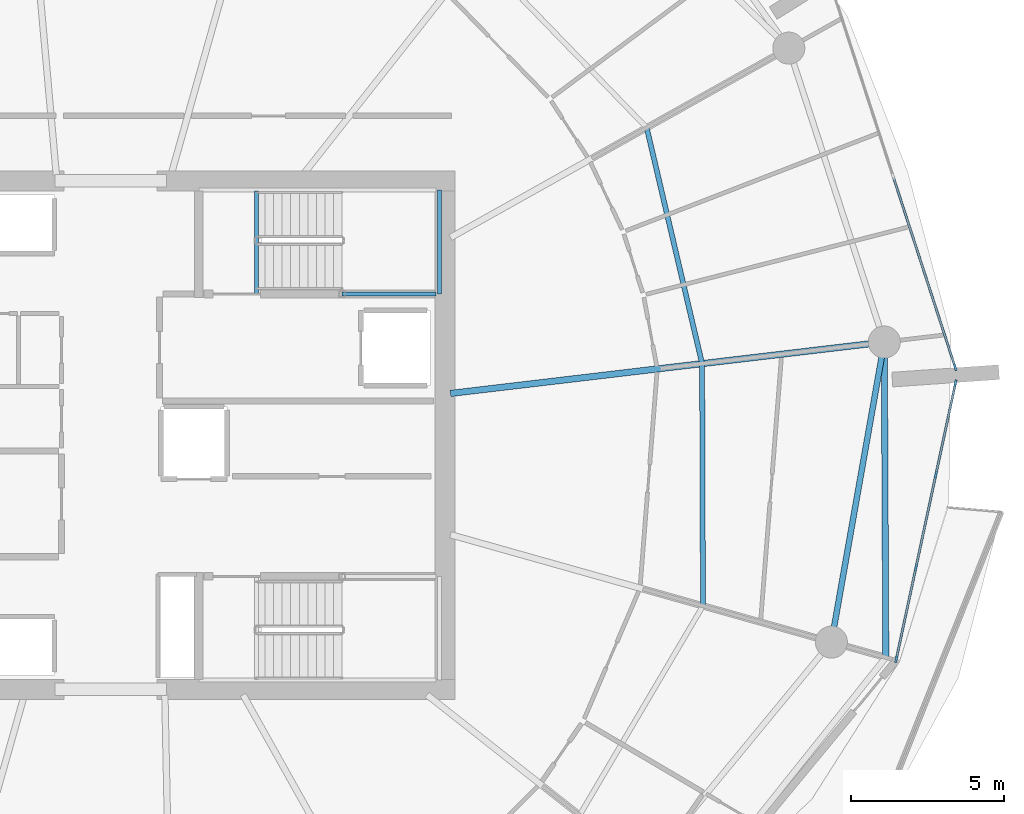
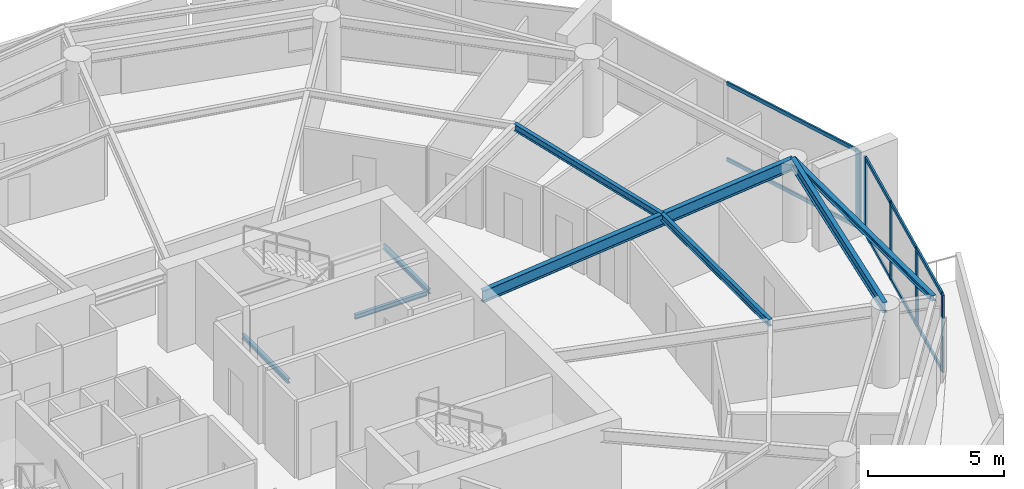
# One storey, part 7 of 21: 13 members, 8 beams, 2 elements without a shape of their own.
"""IFC4 building model written with IfcOpenShell, lengths in metres."""

from ifc_helpers import new_model, si_unit, direction, frame, origin, origin_2d, place, context, subcontext, project, spatial, rectangle, i_section, extrude, material, layer, layer_set, material_profile, profile_set, type_object, element, aggregate, save


model = new_model("IFC4")

# Units and contexts
model_context = context("Model", 3, precision=1e-05, world=origin(), true_north=direction((0.0, 1.0)))
body_context = subcontext(model_context, "Body", "Model", "MODEL_VIEW")
ifc_project = project(units=[si_unit("LENGTHUNIT", "METRE"), si_unit("AREAUNIT", "SQUARE_METRE"), si_unit("VOLUMEUNIT", "CUBIC_METRE"), si_unit("PLANEANGLEUNIT", "RADIAN"), si_unit("MASSUNIT", "GRAM", prefix="KILO")], contexts=[model_context])

# Site, building, storey
site_placement = place(None, origin())
site = spatial("IfcSite", under=ifc_project, at=site_placement, CompositionType="ELEMENT")
building_placement = place(site_placement, origin())
building = spatial("IfcBuilding", under=site, at=building_placement, Name="Kazma Halo Residences", CompositionType="ELEMENT")
storey_placement = place(building_placement, frame((0.0, 0.0, 191.550048828125)))
storey = spatial("IfcBuildingStorey", under=building, at=storey_placement, Name="L48", CompositionType="ELEMENT", Elevation=191.550048828125)

# Beams
ifc_material_1 = material(Name="Steel S355", Category="steel")
ifc_material_profile_1 = material_profile(ifc_material_1, i_section(OverallWidth=0.201904296875, OverallDepth=0.2470703125, WebThickness=0.00732421875, FlangeThickness=0.010986328125, FilletRadius=0.011962890625, at=origin_2d()), Name="W250x49.1")
ifc_profile_set_1 = profile_set([ifc_material_profile_1], Name="Steel S355")
beam_type_1 = type_object("IfcBeamType", Name="BM-BAL-CANT", PredefinedType="BEAM", material=ifc_profile_set_1)
beam_1_placement = place(storey_placement, frame((73.80029296875, 34.723388671875, 3.37646484375), z_axis=(-0.004705663334, 0.999988928305, 0.0), x_axis=(-0.999988928305, -0.004705663334, 0.0)))
element("IfcBeam", 1, at=beam_1_placement, inside=storey, type_object=beam_type_1, Name="L48 wave-balcony tie beam 15", PredefinedType="BEAM", context=body_context, shape_type="SweptSolid", body=[
    extrude(i_section(OverallWidth=0.201904296875, OverallDepth=0.2470703125, WebThickness=0.00732421875, FlangeThickness=0.010986328125, FilletRadius=0.011962890625, at=origin_2d()), origin(), (0.0, 0.0, 1.0), 10.324462890625),
])
ifc_material_profile_2 = material_profile(ifc_material_1, i_section(OverallWidth=0.208984375, OverallDepth=0.532958984375, WebThickness=0.01025390625, FlangeThickness=0.015625, FilletRadius=0.01611328125, at=origin_2d()), Name="W530x92")
ifc_profile_set_2 = profile_set([ifc_material_profile_2], Name="Steel S355")
beam_type_2 = type_object("IfcBeamType", Name="BM-RAD-W530", PredefinedType="BEAM", material=ifc_profile_set_2)
beam_2_placement = place(storey_placement, frame((59.550048828125, 43.366943359375, 3.2333984375), z_axis=(0.993068204292, 0.117539532174, 0.0), x_axis=(-0.117539532174, 0.993068204292, 0.0)))
element("IfcBeam", 2, at=beam_2_placement, inside=storey, type_object=beam_type_2, Name="L48 radial floor beam 16", PredefinedType="BEAM", context=body_context, shape_type="SweptSolid", body=[
    extrude(i_section(OverallWidth=0.208984375, OverallDepth=0.532958984375, WebThickness=0.01025390625, FlangeThickness=0.015625, FilletRadius=0.01611328125, at=origin_2d()), origin(), (0.0, 0.0, 1.0), 14.30078125),
])
ifc_material_profile_3 = material_profile(ifc_material_1, i_section(OverallWidth=0.1650390625, OverallDepth=0.31005859375, WebThickness=0.005859375, FlangeThickness=0.009765625, FilletRadius=0.011962890625, at=origin_2d()), Name="W310x38.7")
ifc_profile_set_3 = profile_set([ifc_material_profile_3], Name="Steel S355")
beam_type_3 = type_object("IfcBeamType", Name="BM-SEC-W310B", PredefinedType="JOIST", material=ifc_profile_set_3)
beam_3_placement = place(storey_placement, frame((67.815185546875, 36.41162109375, 3.344970703125), z_axis=(-0.003540400199, 0.999993732764, 0.0), x_axis=(-0.999993732764, -0.003540400199, 0.0)))
element("IfcBeam", 3, at=beam_3_placement, inside=storey, type_object=beam_type_3, Name="L48 circumferential floor joist 15", PredefinedType="JOIST", context=body_context, shape_type="SweptSolid", body=[
    extrude(i_section(OverallWidth=0.1650390625, OverallDepth=0.31005859375, WebThickness=0.005859375, FlangeThickness=0.009765625, FilletRadius=0.011962890625, at=origin_2d()), origin(), (0.0, 0.0, 1.0), 7.93017578125),
])
beam_4_placement = place(storey_placement, frame((67.787109375, 44.341796875, 3.344970703125), z_axis=(-0.228572787048, 0.973526826041, 0.0), x_axis=(-0.973526826041, -0.228572787048, 0.0)))
element("IfcBeam", 4, at=beam_4_placement, inside=storey, type_object=beam_type_3, Name="L48 circumferential floor joist 16", PredefinedType="JOIST", context=body_context, shape_type="SweptSolid", body=[
    extrude(i_section(OverallWidth=0.1650390625, OverallDepth=0.31005859375, WebThickness=0.005859375, FlangeThickness=0.009765625, FilletRadius=0.011962890625, at=origin_2d()), origin(), (0.0, 0.0, 1.0), 7.933837890625),
])
ifc_material_profile_4 = material_profile(ifc_material_1, i_section(OverallWidth=0.18994140625, OverallDepth=0.45703125, WebThickness=0.009033203125, FlangeThickness=0.014404296875, FilletRadius=0.01611328125, at=origin_2d()), Name="W460x74")
ifc_profile_set_4 = profile_set([ifc_material_profile_4], Name="Steel S355")
beam_type_4 = type_object("IfcBeamType", Name="BM-SPN-W460", PredefinedType="BEAM", material=ifc_profile_set_4)
beam_5_placement = place(storey_placement, frame((72.019775390625, 35.2255859375, 3.271484375), z_axis=(0.173648484202, 0.984807698962, 0.0), x_axis=(-0.984807698962, 0.173648484202, 0.0)))
element("IfcBeam", 5, at=beam_5_placement, inside=storey, type_object=beam_type_4, Name="L48 perimeter ring beam 15", PredefinedType="BEAM", context=body_context, shape_type="SweptSolid", body=[
    extrude(i_section(OverallWidth=0.18994140625, OverallDepth=0.45703125, WebThickness=0.009033203125, FlangeThickness=0.014404296875, FilletRadius=0.01611328125, at=origin_2d()), origin(), (0.0, 0.0, 1.0), 9.973876953125),
])
ifc_material_profile_5 = material_profile(ifc_material_1, i_section(OverallWidth=0.133056640625, OverallDepth=0.20703125, WebThickness=0.005859375, FlangeThickness=0.00830078125, FilletRadius=0.010009765625, at=origin_2d()), Name="W200x26.6")
ifc_profile_set_5 = profile_set([ifc_material_profile_5], Name="Steel S355")
beam_type_5 = type_object("IfcBeamType", Name="BM-TRIM-W200", PredefinedType="BEAM", material=ifc_profile_set_5)
beam_6_placement = place(storey_placement, frame((53.199951171875, 46.6201171875, -0.360107421875), z_axis=(0.0, 1.0, 0.0), x_axis=(-1.0, 0.0, 0.0)))
element("IfcBeam", 6, at=beam_6_placement, inside=storey, type_object=beam_type_5, Name="L48 ST-02 floor landing support beam", PredefinedType="BEAM", context=body_context, shape_type="SweptSolid", body=[
    extrude(i_section(OverallWidth=0.133056640625, OverallDepth=0.20703125, WebThickness=0.005859375, FlangeThickness=0.00830078125, FilletRadius=0.010009765625, at=origin_2d()), origin(), (0.0, 0.0, 1.0), 3.3798828125),
])
beam_7_placement = place(storey_placement, frame((56.0, 46.6201171875, 1.570068359375), z_axis=(1.0, 0.0, 0.0), x_axis=(0.0, 1.0, 0.0)))
element("IfcBeam", 7, at=beam_7_placement, inside=storey, type_object=beam_type_5, Name="L48 ST-02 landing south wall ledger", PredefinedType="BEAM", context=body_context, shape_type="SweptSolid", body=[
    extrude(i_section(OverallWidth=0.133056640625, OverallDepth=0.20703125, WebThickness=0.005859375, FlangeThickness=0.00830078125, FilletRadius=0.010009765625, at=origin_2d()), origin(), (0.0, 0.0, 1.0), 3.070068359375),
])
beam_8_placement = place(storey_placement, frame((59.18994140625, 46.6201171875, 1.570068359375), z_axis=(0.0, 1.0, 0.0), x_axis=(-1.0, 0.0, 0.0)))
element("IfcBeam", 8, at=beam_8_placement, inside=storey, type_object=beam_type_5, Name="L48 ST-02 landing end wall ledger", PredefinedType="BEAM", context=body_context, shape_type="SweptSolid", body=[
    extrude(i_section(OverallWidth=0.133056640625, OverallDepth=0.20703125, WebThickness=0.005859375, FlangeThickness=0.00830078125, FilletRadius=0.010009765625, at=origin_2d()), origin(), (0.0, 0.0, 1.0), 3.39990234375),
])

# Curtain wall, members
ifc_material_2 = material(Name="Aluminium AW-6063 T6 and Triple-Silver Low-E Glass", Category="aluminium")
ifc_layer = layer(ifc_material_2, 0.219970703125)
ifc_layer_set = layer_set([ifc_layer], Name="Aluminium AW-6063 T6 and Triple-Silver Low-E Glass")
curtain_wall_type = type_object("IfcCurtainWallType", Name="CW-SYS-4", PredefinedType="NOTDEFINED", material=ifc_layer_set)
curtain_wall_1_placement = place(storey_placement, origin())
curtain_wall_1 = element("IfcCurtainWall", 9, at=curtain_wall_1_placement, inside=storey, type_object=curtain_wall_type, Name="L48 unitised curtain wall B15", PredefinedType="NOTDEFINED")
ifc_material_3 = material(Name="Aluminium AW-6063 T6", Category="aluminium")
ifc_material_profile_6 = material_profile(ifc_material_3, rectangle(XDim=0.074951171875, YDim=0.219970703125, at=origin_2d()), Name="CWM-75x220")
ifc_profile_set_6 = profile_set([ifc_material_profile_6], Name="Aluminium AW-6063 T6")
member_type_1 = type_object("IfcMemberType", Name="CW-SYS-4-MUL", PredefinedType="MULLION", material=ifc_profile_set_6)
member_1_placement = place(storey_placement, frame((74.1435546875, 34.665771484375, 0.0), z_axis=(0.0, 0.0, 1.0), x_axis=(-0.977768017212, 0.209689543175, 0.0)))
member_1 = element("IfcMember", 10, at=member_1_placement, type_object=member_type_1, Name="CWS-4 mullion 1", PredefinedType="MULLION", context=body_context, shape_type="SweptSolid", body=[
    extrude(rectangle(XDim=0.074951171875, YDim=0.219970703125, at=origin_2d()), origin(), (0.0, 0.0, 1.0), 3.5),
])
member_2_placement = place(storey_placement, frame((74.787109375, 37.6669921875, 0.0), z_axis=(0.0, 0.0, 1.0), x_axis=(-0.977768017212, 0.209689543175, 0.0)))
member_2 = element("IfcMember", 11, at=member_2_placement, type_object=member_type_1, Name="CWS-4 mullion 2", PredefinedType="MULLION", context=body_context, shape_type="SweptSolid", body=[
    extrude(rectangle(XDim=0.074951171875, YDim=0.219970703125, at=origin_2d()), origin(), (0.0, 0.0, 1.0), 3.5),
])
member_3_placement = place(storey_placement, frame((75.438720703125, 40.704833984375, 0.0), z_axis=(0.0, 0.0, 1.0), x_axis=(-0.977768017212, 0.209689543175, 0.0)))
member_3 = element("IfcMember", 12, at=member_3_placement, type_object=member_type_1, Name="CWS-4 mullion 3", PredefinedType="MULLION", context=body_context, shape_type="SweptSolid", body=[
    extrude(rectangle(XDim=0.074951171875, YDim=0.219970703125, at=origin_2d()), origin(), (0.0, 0.0, 1.0), 3.5),
])
member_4_placement = place(storey_placement, frame((76.082275390625, 43.7060546875, 0.0), z_axis=(0.0, 0.0, 1.0), x_axis=(-0.977768017212, 0.209689543175, 0.0)))
member_4 = element("IfcMember", 13, at=member_4_placement, type_object=member_type_1, Name="CWS-4 mullion 4", PredefinedType="MULLION", context=body_context, shape_type="SweptSolid", body=[
    extrude(rectangle(XDim=0.074951171875, YDim=0.219970703125, at=origin_2d()), origin(), (0.0, 0.0, 1.0), 3.5),
])

# Curtain wall, member
curtain_wall_2_placement = place(storey_placement, origin())
curtain_wall_2 = element("IfcCurtainWall", 14, at=curtain_wall_2_placement, inside=storey, type_object=curtain_wall_type, Name="L48 unitised curtain wall B16", PredefinedType="NOTDEFINED")
member_5_placement = place(storey_placement, frame((76.0712890625, 44.22119140625, 0.0), z_axis=(0.0, 0.0, 1.0), x_axis=(-0.951056893636, -0.309015833038, 0.0)))
member_5 = element("IfcMember", 15, at=member_5_placement, type_object=member_type_1, Name="CWS-4 mullion 1", PredefinedType="MULLION", context=body_context, shape_type="SweptSolid", body=[
    extrude(rectangle(XDim=0.074951171875, YDim=0.219970703125, at=origin_2d()), origin(), (0.0, 0.0, 1.0), 3.5),
])

# Member
ifc_material_profile_7 = material_profile(ifc_material_3, rectangle(XDim=0.074951171875, YDim=0.1650390625, at=origin_2d()), Name="CWT-75x165")
ifc_profile_set_7 = profile_set([ifc_material_profile_7], Name="Aluminium AW-6063 T6")
member_type_2 = type_object("IfcMemberType", Name="CW-SYS-4-TRN", PredefinedType="USERDEFINED", material=ifc_profile_set_7)
member_6_placement = place(storey_placement, frame((74.1513671875, 34.702392578125, 0.037353515625), z_axis=(0.209707268418, 0.977764215735, 0.0), x_axis=(-0.977764215735, 0.209707268418, 0.0)))
member_6 = element("IfcMember", 16, at=member_6_placement, type_object=member_type_2, Name="CWS-4 transom 1.1", ObjectType="TRANSOM", PredefinedType="USERDEFINED", context=body_context, shape_type="SweptSolid", body=[
    extrude(rectangle(XDim=0.074951171875, YDim=0.1650390625, at=origin_2d()), origin(), (0.0, 0.0, 1.0), 2.994384765625),
])

member_7_placement = place(storey_placement, frame((74.1513671875, 34.702392578125, 3.46240234375), z_axis=(0.209707268418, 0.977764215735, 0.0), x_axis=(-0.977764215735, 0.209707268418, 0.0)))
member_7 = element("IfcMember", 17, at=member_7_placement, type_object=member_type_2, Name="CWS-4 transom 1.2", ObjectType="TRANSOM", PredefinedType="USERDEFINED", context=body_context, shape_type="SweptSolid", body=[
    extrude(rectangle(XDim=0.074951171875, YDim=0.1650390625, at=origin_2d()), origin(), (0.0, 0.0, 1.0), 2.994384765625),
])

member_8_placement = place(storey_placement, frame((74.794921875, 37.70361328125, 0.037353515625), z_axis=(0.209677559804, 0.977770587057, 0.0), x_axis=(-0.977770587057, 0.209677559804, 0.0)))
member_8 = element("IfcMember", 18, at=member_8_placement, type_object=member_type_2, Name="CWS-4 transom 2.1", ObjectType="TRANSOM", PredefinedType="USERDEFINED", context=body_context, shape_type="SweptSolid", body=[
    extrude(rectangle(XDim=0.074951171875, YDim=0.1650390625, at=origin_2d()), origin(), (0.0, 0.0, 1.0), 3.031982421875),
])

member_9_placement = place(storey_placement, frame((74.794921875, 37.70361328125, 3.46240234375), z_axis=(0.209677559804, 0.977770587057, 0.0), x_axis=(-0.977770587057, 0.209677559804, 0.0)))
member_9 = element("IfcMember", 19, at=member_9_placement, type_object=member_type_2, Name="CWS-4 transom 2.2", ObjectType="TRANSOM", PredefinedType="USERDEFINED", context=body_context, shape_type="SweptSolid", body=[
    extrude(rectangle(XDim=0.074951171875, YDim=0.1650390625, at=origin_2d()), origin(), (0.0, 0.0, 1.0), 3.031982421875),
])

member_10_placement = place(storey_placement, frame((75.446533203125, 40.741455078125, 0.037353515625), z_axis=(0.209690551496, 0.97776780097, 0.0), x_axis=(-0.97776780097, 0.209690551496, 0.0)))
member_10 = element("IfcMember", 20, at=member_10_placement, type_object=member_type_2, Name="CWS-4 transom 3.1", ObjectType="TRANSOM", PredefinedType="USERDEFINED", context=body_context, shape_type="SweptSolid", body=[
    extrude(rectangle(XDim=0.074951171875, YDim=0.1650390625, at=origin_2d()), origin(), (0.0, 0.0, 1.0), 2.99462890625),
])

member_11_placement = place(storey_placement, frame((75.446533203125, 40.741455078125, 3.46240234375), z_axis=(0.209690551496, 0.97776780097, 0.0), x_axis=(-0.97776780097, 0.209690551496, 0.0)))
member_11 = element("IfcMember", 21, at=member_11_placement, type_object=member_type_2, Name="CWS-4 transom 3.2", ObjectType="TRANSOM", PredefinedType="USERDEFINED", context=body_context, shape_type="SweptSolid", body=[
    extrude(rectangle(XDim=0.074951171875, YDim=0.1650390625, at=origin_2d()), origin(), (0.0, 0.0, 1.0), 2.99462890625),
])

aggregate(curtain_wall_1, [member_1, member_2, member_3, member_4, member_6, member_7, member_8, member_9, member_10, member_11])

member_12_placement = place(storey_placement, frame((76.0595703125, 44.2568359375, 0.037353515625), z_axis=(-0.30902650142, 0.951053427217, 0.0), x_axis=(-0.951053427217, -0.30902650142, 0.0)))
member_12 = element("IfcMember", 22, at=member_12_placement, type_object=member_type_2, Name="CWS-4 transom 1.1", ObjectType="TRANSOM", PredefinedType="USERDEFINED", context=body_context, shape_type="SweptSolid", body=[
    extrude(rectangle(XDim=0.074951171875, YDim=0.1650390625, at=origin_2d()), origin(), (0.0, 0.0, 1.0), 6.487060546875),
])

member_13_placement = place(storey_placement, frame((76.0595703125, 44.2568359375, 3.46240234375), z_axis=(-0.30902650142, 0.951053427217, 0.0), x_axis=(-0.951053427217, -0.30902650142, 0.0)))
member_13 = element("IfcMember", 23, at=member_13_placement, type_object=member_type_2, Name="CWS-4 transom 1.2", ObjectType="TRANSOM", PredefinedType="USERDEFINED", context=body_context, shape_type="SweptSolid", body=[
    extrude(rectangle(XDim=0.074951171875, YDim=0.1650390625, at=origin_2d()), origin(), (0.0, 0.0, 1.0), 6.487060546875),
])

aggregate(curtain_wall_2, [member_5, member_12, member_13])

save(model, "model.ifc")
